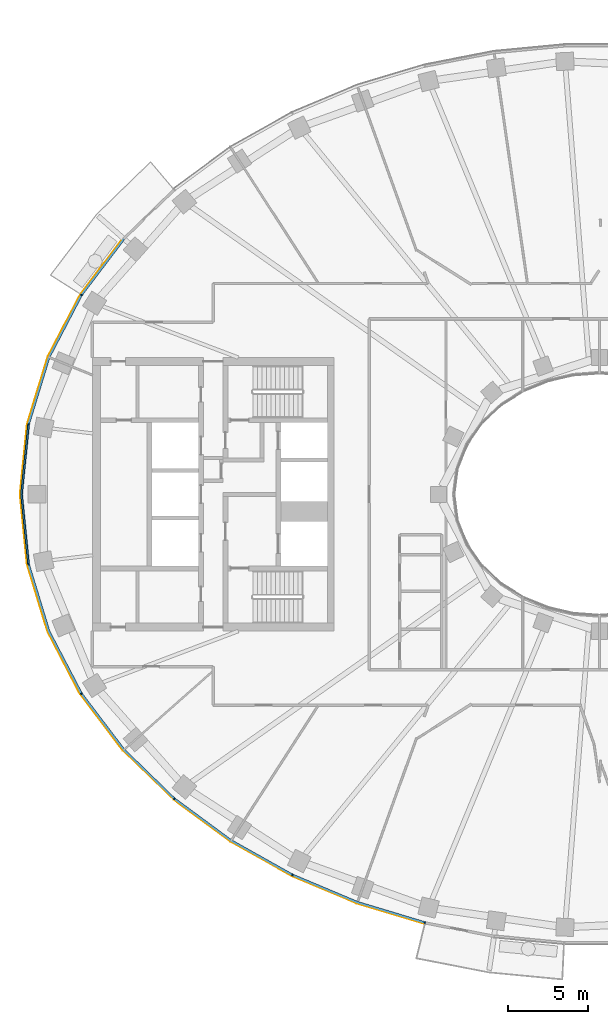
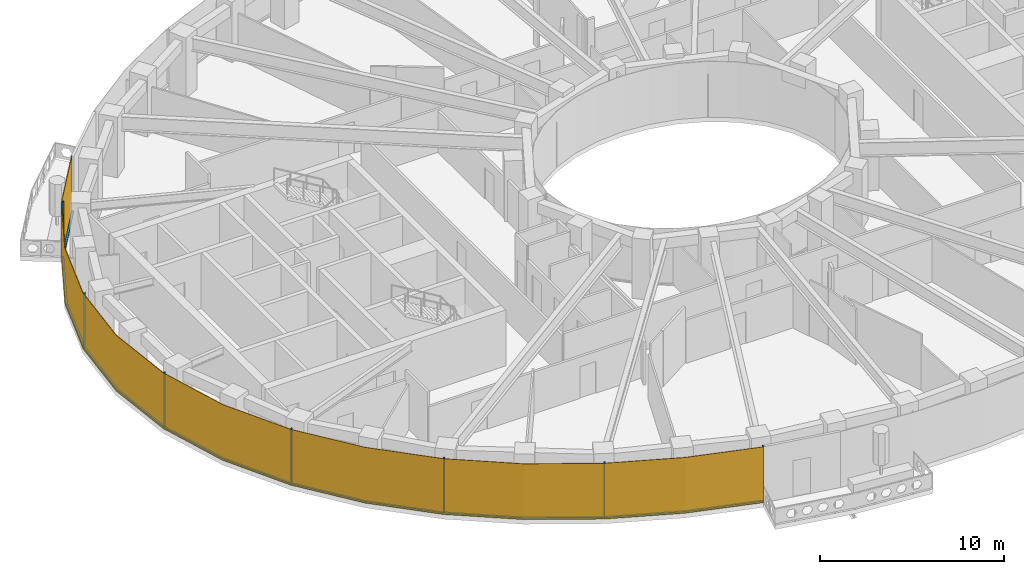
# One storey, part 8 of 16: 14 members, 1 curtain wall.
"""IFC4 building model written with IfcOpenShell, lengths in metres."""

from ifc_helpers import new_model, si_unit, direction, frame, origin, origin_2d, place, context, subcontext, project, spatial, polyline, rectangle, outline, extrude, material, layer, layer_set, material_profile, profile_set, type_object, element, aggregate, save


model = new_model("IFC4")

# Units and contexts
model_context = context("Model", 3, precision=1e-05, world=origin(), true_north=direction((0.0, 1.0)))
body_context = subcontext(model_context, "Body", "Model", "MODEL_VIEW")
ifc_project = project(units=[si_unit("LENGTHUNIT", "METRE"), si_unit("AREAUNIT", "SQUARE_METRE"), si_unit("VOLUMEUNIT", "CUBIC_METRE"), si_unit("PLANEANGLEUNIT", "RADIAN"), si_unit("MASSUNIT", "GRAM", prefix="KILO")], contexts=[model_context])

# Member
ifc_material_1 = material(Name="Aluminium 6063-T6 black anodised", Category="aluminium")
ifc_material_profile = material_profile(ifc_material_1, rectangle(XDim=0.1201171875, YDim=0.06005859375, at=origin_2d()), Name="120x60")
ifc_profile_set = profile_set([ifc_material_profile], Name="Aluminium 6063-T6 black anodised")
member_type_1 = type_object("IfcMemberType", Name="ENV-MULLION-A-120", PredefinedType="MULLION", material=ifc_profile_set)
site_placement = place(None, origin())
building_placement = place(site_placement, origin())
storey_placement = place(building_placement, frame((0.0, 0.0, 237.5)))
member_1_placement = place(storey_placement, frame((-32.177490234375, 12.385498046875, 0.0), z_axis=(0.0, 0.0, 1.0), x_axis=(0.844829880882, -0.53503501976, 0.0)))
member_1 = element("IfcMember", 1, at=member_1_placement, type_object=member_type_1, Name="Mullion A radial 21", PredefinedType="MULLION", context=body_context, shape_type="SweptSolid", body=[
    extrude(rectangle(XDim=0.1201171875, YDim=0.06005859375, at=origin_2d()), origin(), (0.0, 0.0, 1.0), 3.699951171875),
])

member_2_placement = place(storey_placement, frame((-35.470947265625, 4.340576171875, 0.0), z_axis=(0.0, 0.0, 1.0), x_axis=(0.980379083141, -0.19712141776, 0.0)))
member_2 = element("IfcMember", 2, at=member_2_placement, type_object=member_type_1, Name="Mullion A radial 23", PredefinedType="MULLION", context=body_context, shape_type="SweptSolid", body=[
    extrude(rectangle(XDim=0.1201171875, YDim=0.06005859375, at=origin_2d()), origin(), (0.0, 0.0, 1.0), 3.699951171875),
])

member_3_placement = place(storey_placement, frame((-35.470947265625, -4.340576171875, 0.0), z_axis=(0.0, 0.0, 1.0), x_axis=(0.980379083141, 0.19712141776, 0.0)))
member_3 = element("IfcMember", 3, at=member_3_placement, type_object=member_type_1, Name="Mullion A radial 25", PredefinedType="MULLION", context=body_context, shape_type="SweptSolid", body=[
    extrude(rectangle(XDim=0.1201171875, YDim=0.06005859375, at=origin_2d()), origin(), (0.0, 0.0, 1.0), 3.699951171875),
])

member_4_placement = place(storey_placement, frame((-32.177490234375, -12.385498046875, 0.0), z_axis=(0.0, 0.0, 1.0), x_axis=(0.844829880882, 0.53503501976, 0.0)))
member_4 = element("IfcMember", 4, at=member_4_placement, type_object=member_type_1, Name="Mullion A radial 27", PredefinedType="MULLION", context=body_context, shape_type="SweptSolid", body=[
    extrude(rectangle(XDim=0.1201171875, YDim=0.06005859375, at=origin_2d()), origin(), (0.0, 0.0, 1.0), 3.699951171875),
])

member_5_placement = place(storey_placement, frame((-26.403564453125, -18.9130859375, 0.0), z_axis=(0.0, 0.0, 1.0), x_axis=(0.646451313783, 0.762955240435, 0.0)))
member_5 = element("IfcMember", 5, at=member_5_placement, type_object=member_type_1, Name="Mullion A radial 29", PredefinedType="MULLION", context=body_context, shape_type="SweptSolid", body=[
    extrude(rectangle(XDim=0.1201171875, YDim=0.06005859375, at=origin_2d()), origin(), (0.0, 0.0, 1.0), 3.699951171875),
])

member_6_placement = place(storey_placement, frame((-19.06787109375, -23.6474609375, 0.0), z_axis=(0.0, 0.0, 1.0), x_axis=(0.439237769837, 0.898370848563, 0.0)))
member_6 = element("IfcMember", 6, at=member_6_placement, type_object=member_type_1, Name="Mullion A radial 31", PredefinedType="MULLION", context=body_context, shape_type="SweptSolid", body=[
    extrude(rectangle(XDim=0.1201171875, YDim=0.06005859375, at=origin_2d()), origin(), (0.0, 0.0, 1.0), 3.699951171875),
])

member_7_placement = place(storey_placement, frame((-10.84326171875, -26.60498046875, 0.0), z_axis=(0.0, 0.0, 1.0), x_axis=(0.239799081534, 0.970822538106, 0.0)))
member_7 = element("IfcMember", 7, at=member_7_placement, type_object=member_type_1, Name="Mullion A radial 33", PredefinedType="MULLION", context=body_context, shape_type="SweptSolid", body=[
    extrude(rectangle(XDim=0.1201171875, YDim=0.06005859375, at=origin_2d()), origin(), (0.0, 0.0, 1.0), 3.699951171875),
])

ifc_material_2 = material(Name="Aluminium 6063-T6 black anodised", Category="aluminium")
member_type_2 = type_object("IfcMemberType", Name="ENV-TRANSOM-A", PredefinedType="USERDEFINED", material=ifc_material_2)
member_8_placement = place(storey_placement, origin())
member_8 = element("IfcMember", 8, at=member_8_placement, type_object=member_type_2, Name="Transom A radial 20-21", ObjectType="TRANSOM", PredefinedType="USERDEFINED", context=body_context, shape_type="SweptSolid", body=[
    extrude(outline(polyline([(-29.595703125, 15.890869140625), (-32.211181640625, 12.43994140625), (-32.109375, 12.37548828125), (-29.505615234375, 15.811279296875), (-29.595703125, 15.890869140625)])), origin(), (0.0, 0.0, 1.0), 0.10009765625),
])

member_9_placement = place(storey_placement, origin())
member_9 = element("IfcMember", 9, at=member_9_placement, type_object=member_type_2, Name="Transom A radial 21-23", ObjectType="TRANSOM", PredefinedType="USERDEFINED", context=body_context, shape_type="SweptSolid", body=[
    extrude(outline(polyline([(-32.240966796875, 12.392578125), (-34.251220703125, 8.53662109375), (-35.521484375, 4.379150390625), (-35.4033203125, 4.355224609375), (-34.139892578125, 8.490966796875), (-32.139404296875, 12.328369140625), (-32.240966796875, 12.392578125)])), origin(), (0.0, 0.0, 1.0), 0.10009765625),
])

member_10_placement = place(storey_placement, origin())
member_10 = element("IfcMember", 10, at=member_10_placement, type_object=member_type_2, Name="Transom A radial 23-25", ObjectType="TRANSOM", PredefinedType="USERDEFINED", context=body_context, shape_type="SweptSolid", body=[
    extrude(outline(polyline([(-35.532470703125, 4.324462890625), (-35.9677734375, 0.0), (-35.532470703125, -4.324462890625), (-35.414306640625, -4.30078125), (-35.84716796875, 0.0), (-35.414306640625, 4.30078125), (-35.532470703125, 4.324462890625)])), origin(), (0.0, 0.0, 1.0), 0.10009765625),
])

member_11_placement = place(storey_placement, origin())
member_11 = element("IfcMember", 11, at=member_11_placement, type_object=member_type_2, Name="Transom A radial 25-27", ObjectType="TRANSOM", PredefinedType="USERDEFINED", context=body_context, shape_type="SweptSolid", body=[
    extrude(outline(polyline([(-35.521484375, -4.379150390625), (-34.251220703125, -8.53662109375), (-32.240966796875, -12.392578125), (-32.139404296875, -12.328369140625), (-34.139892578125, -8.490966796875), (-35.4033203125, -4.355224609375), (-35.521484375, -4.379150390625)])), origin(), (0.0, 0.0, 1.0), 0.10009765625),
])

member_12_placement = place(storey_placement, origin())
member_12 = element("IfcMember", 12, at=member_12_placement, type_object=member_type_2, Name="Transom A radial 27-29", ObjectType="TRANSOM", PredefinedType="USERDEFINED", context=body_context, shape_type="SweptSolid", body=[
    extrude(outline(polyline([(-32.211181640625, -12.43994140625), (-29.58349609375, -15.906982421875), (-26.46240234375, -18.939208984375), (-26.384765625, -18.847412109375), (-29.493408203125, -15.8271484375), (-32.109375, -12.37548828125), (-32.211181640625, -12.43994140625)])), origin(), (0.0, 0.0, 1.0), 0.10009765625),
])

member_13_placement = place(storey_placement, origin())
member_13 = element("IfcMember", 13, at=member_13_placement, type_object=member_type_2, Name="Transom A radial 29-31", ObjectType="TRANSOM", PredefinedType="USERDEFINED", context=body_context, shape_type="SweptSolid", body=[
    extrude(outline(polyline([(-26.419921875, -18.975341796875), (-22.9150390625, -21.556884765625), (-19.11865234375, -23.687744140625), (-19.06591796875, -23.57958984375), (-22.85009765625, -21.455810546875), (-26.342041015625, -18.883544921875), (-26.419921875, -18.975341796875)])), origin(), (0.0, 0.0, 1.0), 0.10009765625),
])

member_14_placement = place(storey_placement, origin())
member_14 = element("IfcMember", 14, at=member_14_placement, type_object=member_type_2, Name="Transom A radial 31-33", ObjectType="TRANSOM", PredefinedType="USERDEFINED", context=body_context, shape_type="SweptSolid", body=[
    extrude(outline(polyline([(-19.068359375, -23.71240234375), (-15.054443359375, -25.400146484375), (-10.884521484375, -26.655029296875), (-10.855712890625, -26.53857421875), (-15.013916015625, -25.287109375), (-19.015380859375, -23.604248046875), (-19.068359375, -23.71240234375)])), origin(), (0.0, 0.0, 1.0), 0.10009765625),
])

# Site, building, storey
site = spatial("IfcSite", under=ifc_project, at=site_placement, CompositionType="ELEMENT")
building = spatial("IfcBuilding", under=site, at=building_placement, Name="Noorbagh Ring Tower", CompositionType="ELEMENT")
storey = spatial("IfcBuildingStorey", under=building, at=storey_placement, Name="L49", CompositionType="ELEMENT", Elevation=237.5)

# Curtain wall
ifc_material_3 = material(Name="Glass dark tinted laminated", Category="glass")
ifc_layer = layer(ifc_material_3, 0.031982421875)
ifc_layer_set = layer_set([ifc_layer], Name="Glass dark tinted laminated")
curtain_wall_type = type_object("IfcCurtainWallType", Name="ENV-CW-A", PredefinedType="NOTDEFINED", material=ifc_layer_set)
curtain_wall_placement = place(storey_placement, origin())
curtain_wall = element("IfcCurtainWall", 15, at=curtain_wall_placement, inside=storey, type_object=curtain_wall_type, Name="Curtain wall A R20", PredefinedType="NOTDEFINED", context=body_context, shape_type="SweptSolid", body=[
    extrude(outline(polyline([(-29.61962890625, 15.912109375), (-32.255126953125, 12.434814453125), (-34.281005859375, 8.548828125), (-35.561279296875, 4.358642578125), (-36.0, 0.0), (-35.561279296875, -4.358642578125), (-34.281005859375, -8.548828125), (-32.255126953125, -12.434814453125), (-29.607666015625, -15.927978515625), (-26.463134765625, -18.9833984375), (-22.9326171875, -21.583740234375), (-19.108154296875, -23.730224609375), (-15.065185546875, -25.430419921875), (-10.884521484375, -26.6884765625), (-10.876708984375, -26.657470703125), (-15.054443359375, -25.400146484375), (-19.093994140625, -23.701416015625), (-22.9150390625, -21.556884765625), (-26.4423828125, -18.958740234375), (-29.58349609375, -15.906982421875), (-32.22802734375, -12.41748046875), (-34.251220703125, -8.53662109375), (-35.529541015625, -4.352294921875), (-35.9677734375, 0.0), (-35.529541015625, 4.352294921875), (-34.251220703125, 8.53662109375), (-32.22802734375, 12.41748046875), (-29.595703125, 15.890869140625), (-29.61962890625, 15.912109375)])), origin(), (0.0, 0.0, 1.0), 3.699951171875),
])

aggregate(curtain_wall, [member_1, member_2, member_3, member_4, member_5, member_6, member_7, member_8, member_9, member_10, member_11, member_12, member_13, member_14])

save(model, "model.ifc")
